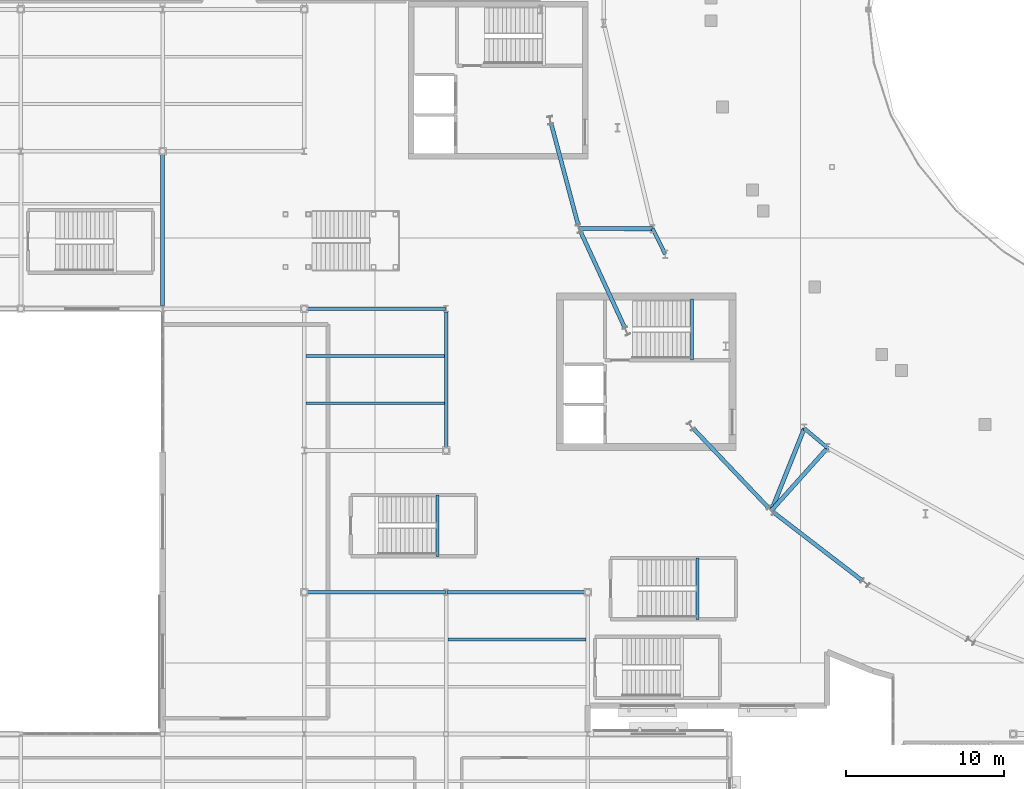
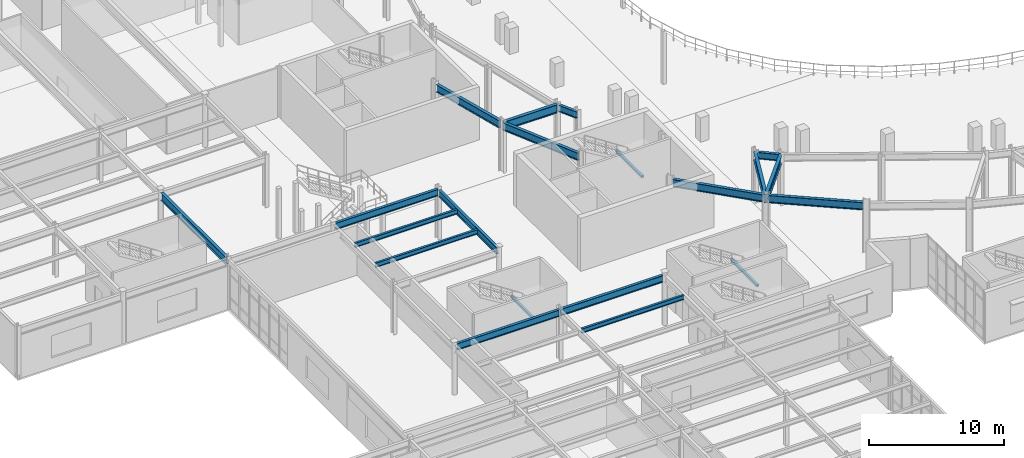
# One storey, part 30 of 84: 20 beams.
"""IFC4 building model written with IfcOpenShell, lengths in metres."""

from ifc_helpers import new_model, si_unit, direction, frame, origin, origin_2d, place, context, subcontext, project, spatial, hollow_rectangle, i_section, extrude, material, material_profile, profile_set, type_object, element, save


model = new_model("IFC4")

# Units and contexts
model_context = context("Model", 3, precision=1e-05, world=origin(), true_north=direction((0.0, 1.0)))
body_context = subcontext(model_context, "Body", "Model", "MODEL_VIEW")
ifc_project = project(units=[si_unit("LENGTHUNIT", "METRE"), si_unit("AREAUNIT", "SQUARE_METRE"), si_unit("VOLUMEUNIT", "CUBIC_METRE"), si_unit("PLANEANGLEUNIT", "RADIAN"), si_unit("MASSUNIT", "GRAM", prefix="KILO")], contexts=[model_context])

# Site, building, storey
site_placement = place(None, origin())
site = spatial("IfcSite", under=ifc_project, at=site_placement, CompositionType="ELEMENT")
building_placement = place(site_placement, origin())
building = spatial("IfcBuilding", under=site, at=building_placement, Name="Glasvene Arena", CompositionType="ELEMENT")
storey_placement = place(building_placement, frame((0.0, 0.0, 10.199951171875)))
storey = spatial("IfcBuildingStorey", under=building, at=storey_placement, Name="L02", CompositionType="ELEMENT", Elevation=10.199951171875)

# Beams
ifc_material = material(Name="Steel S355J2", Category="steel")
ifc_material_profile_1 = material_profile(ifc_material, i_section(OverallWidth=0.228271484375, OverallDepth=0.607666015625, WebThickness=0.010986328125, FlangeThickness=0.017333984375, FilletRadius=0.0126953125, at=origin_2d()), Name="UKB 610x229x113")
ifc_profile_set_1 = profile_set([ifc_material_profile_1], Name="Steel S355J2")
beam_type_1 = type_object("IfcBeamType", Name="BM-GIRD-610", PredefinedType="BEAM", material=ifc_profile_set_1)
for number, where, z_axis, x_axis, name in (
    (1, (27.1982421875, 36.0, 4.21630859375), (1.0, 0.0, 0.0), (0.0, 1.0, 0.0), "Primary X girder L02-0804"),
    (2, (36.050048828125, 36.0, 4.21630859375), (1.0, 0.0, 0.0), (0.0, 1.0, 0.0), "Primary X girder L02-0805"),
    (3, (27.1982421875, 54.0, 4.21630859375), (1.0, 0.0, 0.0), (0.0, 1.0, 0.0), "Primary X girder L02-0810"),
):
    element("IfcBeam", number, at=place(storey_placement, frame(where, z_axis=z_axis, x_axis=x_axis)), inside=storey, type_object=beam_type_1, Name=name, PredefinedType="BEAM", context=body_context, shape_type="SweptSolid", body=[
        extrude(i_section(OverallWidth=0.228271484375, OverallDepth=0.607666015625, WebThickness=0.010986328125, FlangeThickness=0.017333984375, FilletRadius=0.0126953125, at=origin_2d()), origin(), (0.0, 0.0, 1.0), 8.751708984375),
    ])
beam_1_placement = place(storey_placement, frame((36.0, 45.1982421875, 4.21630859375), z_axis=(0.0, 1.0, 0.0), x_axis=(-1.0, 0.0, 0.0)))
element("IfcBeam", 4, at=beam_1_placement, inside=storey, type_object=beam_type_1, Name="Primary Y girder L02-0867", PredefinedType="BEAM", context=body_context, shape_type="SweptSolid", body=[
    extrude(i_section(OverallWidth=0.228271484375, OverallDepth=0.607666015625, WebThickness=0.010986328125, FlangeThickness=0.017333984375, FilletRadius=0.0126953125, at=origin_2d()), origin(), (0.0, 0.0, 1.0), 8.606689453125),
])
beam_2_placement = place(storey_placement, frame((49.113037109375, 59.077392578125, 4.215087890625), z_axis=(0.443576698242, -0.896236415672, 0.0), x_axis=(0.896236415672, 0.443576698242, 0.0)))
element("IfcBeam", 5, at=beam_2_placement, inside=storey, type_object=beam_type_1, Name="Concourse inner ring girder L02-18", PredefinedType="BEAM", context=body_context, shape_type="SweptSolid", body=[
    extrude(i_section(OverallWidth=0.228271484375, OverallDepth=0.607666015625, WebThickness=0.010986328125, FlangeThickness=0.017333984375, FilletRadius=0.0126953125, at=origin_2d()), origin(), (0.0, 0.0, 1.0), 1.80078125),
])
beam_3_placement = place(storey_placement, frame((58.743408203125, 46.40087890625, 4.215087890625), z_axis=(0.766930434436, -0.641730246082, 0.0), x_axis=(0.641730246082, 0.766930434436, 0.0)))
element("IfcBeam", 6, at=beam_3_placement, inside=storey, type_object=beam_type_1, Name="Concourse inner ring girder L02-20", PredefinedType="BEAM", context=body_context, shape_type="SweptSolid", body=[
    extrude(i_section(OverallWidth=0.228271484375, OverallDepth=0.607666015625, WebThickness=0.010986328125, FlangeThickness=0.017333984375, FilletRadius=0.0126953125, at=origin_2d()), origin(), (0.0, 0.0, 1.0), 1.924560546875),
])
ifc_material_profile_2 = material_profile(ifc_material, i_section(OverallWidth=0.253662109375, OverallDepth=0.68359375, WebThickness=0.012451171875, FlangeThickness=0.01904296875, FilletRadius=0.01513671875, at=origin_2d()), Name="UKB 686x254x140")
ifc_profile_set_2 = profile_set([ifc_material_profile_2], Name="Steel S355J2")
beam_type_2 = type_object("IfcBeamType", Name="BM-GIRD-686", PredefinedType="BEAM", material=ifc_profile_set_2)
beam_4_placement = place(storey_placement, frame((18.0, 54.195068359375, 4.178466796875), z_axis=(0.0, 1.0, 0.0), x_axis=(-1.0, 0.0, 0.0)))
element("IfcBeam", 7, at=beam_4_placement, inside=storey, type_object=beam_type_2, Name="Primary Y girder L02-0850", PredefinedType="BEAM", context=body_context, shape_type="SweptSolid", body=[
    extrude(i_section(OverallWidth=0.253662109375, OverallDepth=0.68359375, WebThickness=0.012451171875, FlangeThickness=0.01904296875, FilletRadius=0.01513671875, at=origin_2d()), origin(), (0.0, 0.0, 1.0), 9.606689453125),
])
beam_5_placement = place(storey_placement, frame((42.677490234375, 65.728515625, 4.178466796875), z_axis=(0.257729153992, -0.966217202901, 0.0), x_axis=(0.966217202901, 0.257729153992, 0.0)))
element("IfcBeam", 8, at=beam_5_placement, inside=storey, type_object=beam_type_2, Name="Bowl ring chord beam L02-22", PredefinedType="BEAM", context=body_context, shape_type="SweptSolid", body=[
    extrude(i_section(OverallWidth=0.253662109375, OverallDepth=0.68359375, WebThickness=0.012451171875, FlangeThickness=0.01904296875, FilletRadius=0.01513671875, at=origin_2d()), origin(), (0.0, 0.0, 1.0), 6.626220703125),
])
beam_6_placement = place(storey_placement, frame((44.547607421875, 58.876220703125, 4.178466796875), z_axis=(0.418069169042, -0.908415196866, 0.0), x_axis=(0.908415196866, 0.418069169042, 0.0)))
element("IfcBeam", 9, at=beam_6_placement, inside=storey, type_object=beam_type_2, Name="Bowl ring chord beam L02-23", PredefinedType="BEAM", context=body_context, shape_type="SweptSolid", body=[
    extrude(i_section(OverallWidth=0.253662109375, OverallDepth=0.68359375, WebThickness=0.012451171875, FlangeThickness=0.01904296875, FilletRadius=0.01513671875, at=origin_2d()), origin(), (0.0, 0.0, 1.0), 6.70166015625),
])
beam_7_placement = place(storey_placement, frame((51.71435546875, 46.37548828125, 4.178466796875), z_axis=(0.688366558931, -0.725362999157, 0.0), x_axis=(0.725362999157, 0.688366558931, 0.0)))
element("IfcBeam", 10, at=beam_7_placement, inside=storey, type_object=beam_type_2, Name="Bowl ring chord beam L02-25", PredefinedType="BEAM", context=body_context, shape_type="SweptSolid", body=[
    extrude(i_section(OverallWidth=0.253662109375, OverallDepth=0.68359375, WebThickness=0.012451171875, FlangeThickness=0.01904296875, FilletRadius=0.01513671875, at=origin_2d()), origin(), (0.0, 0.0, 1.0), 6.92236328125),
])
beam_8_placement = place(storey_placement, frame((56.8349609375, 41.033935546875, 4.178466796875), z_axis=(0.792832644474, -0.609439412786, 0.0), x_axis=(0.609439412786, 0.792832644474, 0.0)))
element("IfcBeam", 11, at=beam_8_placement, inside=storey, type_object=beam_type_2, Name="Bowl ring chord beam L02-26", PredefinedType="BEAM", context=body_context, shape_type="SweptSolid", body=[
    extrude(i_section(OverallWidth=0.253662109375, OverallDepth=0.68359375, WebThickness=0.012451171875, FlangeThickness=0.01904296875, FilletRadius=0.01513671875, at=origin_2d()), origin(), (0.0, 0.0, 1.0), 7.044921875),
])
ifc_material_profile_3 = material_profile(ifc_material, i_section(OverallWidth=0.2666015625, OverallDepth=0.76220703125, WebThickness=0.014404296875, FlangeThickness=0.021484375, FilletRadius=0.0166015625, at=origin_2d()), Name="UKB 762x267x173")
ifc_profile_set_3 = profile_set([ifc_material_profile_3], Name="Steel S355J2")
beam_type_3 = type_object("IfcBeamType", Name="BM-GIRD-762", PredefinedType="BEAM", material=ifc_profile_set_3)
beam_9_placement = place(storey_placement, frame((49.113037109375, 59.077392578125, 4.138916015625), z_axis=(-0.999993482259, 0.003610462575, 0.0), x_axis=(-0.003610462575, -0.999993482259, 0.0)))
element("IfcBeam", 12, at=beam_9_placement, inside=storey, type_object=beam_type_3, Name="Radial concourse girder L02-18", PredefinedType="BEAM", context=body_context, shape_type="SweptSolid", body=[
    extrude(i_section(OverallWidth=0.2666015625, OverallDepth=0.76220703125, WebThickness=0.014404296875, FlangeThickness=0.021484375, FilletRadius=0.0166015625, at=origin_2d()), origin(), (0.0, 0.0, 1.0), 4.665771484375),
])
beam_10_placement = place(storey_placement, frame((58.743408203125, 46.40087890625, 4.138916015625), z_axis=(-0.372976095384, -0.927840952034, 0.0), x_axis=(0.927840952034, -0.372976095384, 0.0)))
element("IfcBeam", 13, at=beam_10_placement, inside=storey, type_object=beam_type_3, Name="Radial concourse girder L02-20", PredefinedType="BEAM", context=body_context, shape_type="SweptSolid", body=[
    extrude(i_section(OverallWidth=0.2666015625, OverallDepth=0.76220703125, WebThickness=0.014404296875, FlangeThickness=0.021484375, FilletRadius=0.0166015625, at=origin_2d()), origin(), (0.0, 0.0, 1.0), 5.626708984375),
])
beam_11_placement = place(storey_placement, frame((60.219482421875, 45.165771484375, 4.138916015625), z_axis=(-0.667691455448, -0.744438123904, 0.0), x_axis=(0.744438123904, -0.667691455448, 0.0)))
element("IfcBeam", 14, at=beam_11_placement, inside=storey, type_object=beam_type_3, Name="Radial concourse girder L02-21", PredefinedType="BEAM", context=body_context, shape_type="SweptSolid", body=[
    extrude(i_section(OverallWidth=0.2666015625, OverallDepth=0.76220703125, WebThickness=0.014404296875, FlangeThickness=0.021484375, FilletRadius=0.0166015625, at=origin_2d()), origin(), (0.0, 0.0, 1.0), 5.353759765625),
])
ifc_material_profile_4 = material_profile(ifc_material, i_section(OverallWidth=0.177978515625, OverallDepth=0.406494140625, WebThickness=0.0078125, FlangeThickness=0.0126953125, FilletRadius=0.01025390625, at=origin_2d()), Name="UKB 406x178x60")
ifc_profile_set_4 = profile_set([ifc_material_profile_4], Name="Steel S355J2")
beam_type_4 = type_object("IfcBeamType", Name="BM-JOIST-406", PredefinedType="JOIST", material=ifc_profile_set_4)
for number, where, z_axis, x_axis, name in (
    (15, (27.110107421875, 48.0, 4.31689453125), (1.0, 0.0, 0.0), (0.0, 1.0, 0.0), "Composite floor joist L02-0917"),
    (16, (27.110107421875, 51.0, 4.31689453125), (1.0, 0.0, 0.0), (0.0, 1.0, 0.0), "Composite floor joist L02-0918"),
    (17, (36.110107421875, 33.0, 4.31689453125), (1.0, 0.0, 0.0), (0.0, 1.0, 0.0), "Composite floor joist L02-0928"),
):
    element("IfcBeam", number, at=place(storey_placement, frame(where, z_axis=z_axis, x_axis=x_axis)), inside=storey, type_object=beam_type_4, Name=name, PredefinedType="JOIST", context=body_context, shape_type="SweptSolid", body=[
        extrude(i_section(OverallWidth=0.177978515625, OverallDepth=0.406494140625, WebThickness=0.0078125, FlangeThickness=0.0126953125, FilletRadius=0.01025390625, at=origin_2d()), origin(), (0.0, 0.0, 1.0), 8.77978515625),
    ])
ifc_material_profile_5 = material_profile(ifc_material, hollow_rectangle(XDim=0.199951171875, YDim=0.199951171875, WallThickness=0.010009765625, at=origin_2d()), Name="SHS 200x200x10.0")
ifc_profile_set_5 = profile_set([ifc_material_profile_5], Name="Steel S355J2")
beam_type_5 = type_object("IfcBeamType", Name="BM-LINTEL-200", PredefinedType="LINTEL", material=ifc_profile_set_5)
beam_12_placement = place(storey_placement, frame((51.610107421875, 50.72998046875, 2.080078125), z_axis=(0.0, 1.0, 0.0), x_axis=(-1.0, 0.0, 0.0)))
element("IfcBeam", 18, at=beam_12_placement, inside=storey, type_object=beam_type_5, Name="Stair half-landing support beam ST-03-L02", PredefinedType="LINTEL", context=body_context, shape_type="SweptSolid", body=[
    extrude(hollow_rectangle(XDim=0.199951171875, YDim=0.199951171875, WallThickness=0.010009765625, at=origin_2d()), origin(), (0.0, 0.0, 1.0), 3.89013671875),
])
for number, where, z_axis, x_axis, name in (
    (19, (51.9599609375, 34.280029296875, 2.080078125), (0.0, 1.0, 0.0), (-1.0, 0.0, 0.0), "Stair half-landing support beam ST-05-L02"),
    (20, (35.4599609375, 38.280029296875, 2.080078125), (0.0, 1.0, 0.0), (-1.0, 0.0, 0.0), "Stair half-landing support beam ST-15-L02"),
):
    element("IfcBeam", number, at=place(storey_placement, frame(where, z_axis=z_axis, x_axis=x_axis)), inside=storey, type_object=beam_type_5, Name=name, PredefinedType="LINTEL", context=body_context, shape_type="SweptSolid", body=[
        extrude(hollow_rectangle(XDim=0.199951171875, YDim=0.199951171875, WallThickness=0.010009765625, at=origin_2d()), origin(), (0.0, 0.0, 1.0), 3.889892578125),
    ])

save(model, "model.ifc")
